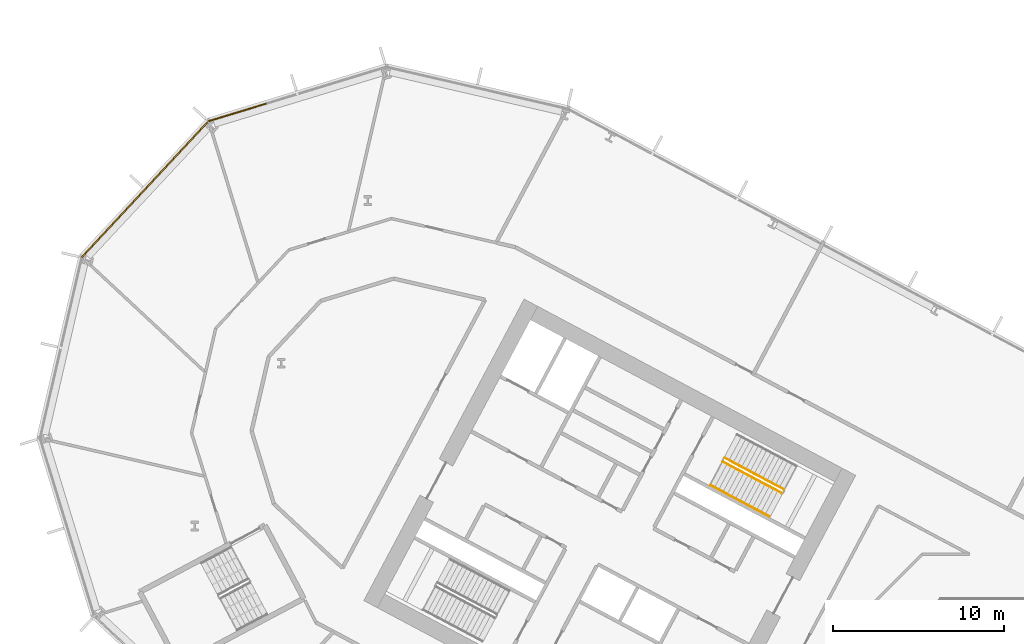
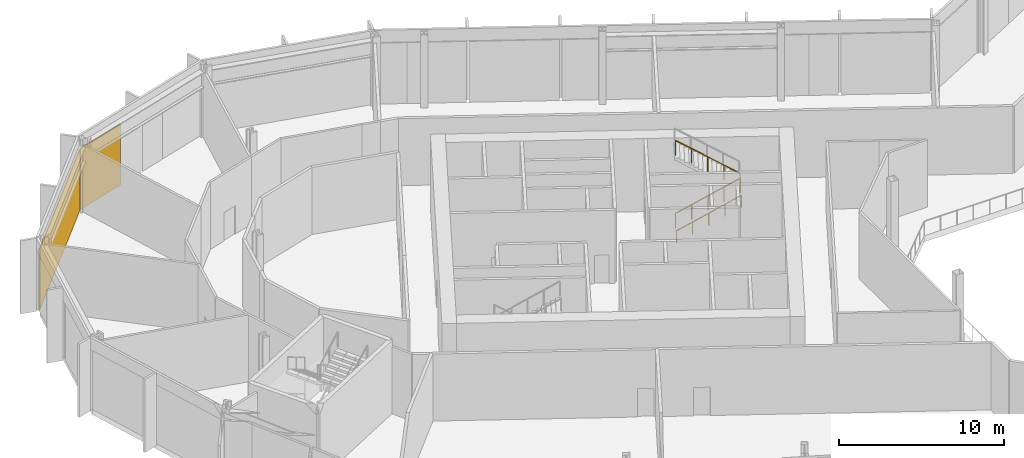
# One storey, part 23 of 31: 3 railings, 2 coverings, 2 elements without a shape of their own.
"""IFC4 building model written with IfcOpenShell, lengths in metres."""

import ifcopenshell
import ifcopenshell.guid

model = None  # the IFC model being written
_history = None  # IfcOwnerHistory: only IFC2X3 demands one
_inside = {}  # id of a spatial element -> (the spatial element, [elements in it])
_under = {}  # id of a project, library or spatial element -> (it, [spatial elements below it])
_declared = {}  # id of a project -> (the project, [libraries it declares])
_typed = {}  # id of a type object -> (the type object, [elements of that type])
_made_of = {}  # id of a material, layer set ... -> (it, [elements and type objects made of it])


def new_model(schema):
    """Start an empty IFC model of exactly this schema.

    Asked for "IFC4X3", IfcOpenShell would pick the latest addendum, in which some entities
    have other attributes; the version numbers below select the first issue.
    IFC2X3 requires an IfcOwnerHistory on every rooted entity: one is made here for all.
    """
    global model, _history
    if schema == "IFC4X3":
        model = ifcopenshell.file(schema_version=(4, 3, 0, 0))
    else:
        model = ifcopenshell.file(schema=schema)
    _inside.clear()
    _under.clear()
    _declared.clear()
    _typed.clear()
    _made_of.clear()
    _history = None
    if model.schema == "IFC2X3":
        org = make("IfcOrganization", Name="unknown")
        user = make(
            "IfcPersonAndOrganization",
            ThePerson=make("IfcPerson", FamilyName="unknown"),
            TheOrganization=org,
        )
        app = make(
            "IfcApplication",
            ApplicationDeveloper=org,
            Version="unknown",
            ApplicationFullName="unknown",
            ApplicationIdentifier="unknown",
        )
        _history = make(
            "IfcOwnerHistory",
            OwningUser=user,
            OwningApplication=app,
            ChangeAction="ADDED",
            CreationDate=0,
        )
    return model


def make(cls, **values):
    """One entity of the class cls with the attributes given. An attribute that is None is left unset."""
    return model.create_entity(
        cls, **{name: value for name, value in values.items() if value is not None}
    )


def rooted(cls, **values):
    """An entity with a GlobalId (a new one), such as an element, a storey or a relation."""
    return make(cls, GlobalId=ifcopenshell.guid.new(), OwnerHistory=_history, **values)


def si_unit(unit_type, name, prefix=None):
    """IfcSIUnit, for example si_unit("LENGTHUNIT", "METRE", prefix="MILLI")."""
    return make("IfcSIUnit", UnitType=unit_type, Prefix=prefix, Name=name)


def assignment(units):
    """IfcUnitAssignment: the units of a project."""
    return None if units is None else make("IfcUnitAssignment", Units=units)


def point(xyz):
    """IfcCartesianPoint."""
    return None if xyz is None else make("IfcCartesianPoint", Coordinates=xyz)


def direction(xyz):
    """IfcDirection."""
    return None if xyz is None else make("IfcDirection", DirectionRatios=xyz)


def frame(location, z_axis=None, x_axis=None):
    """IfcAxis2Placement3D, a coordinate frame: its origin and axes. An axis left out is left unset."""
    return make(
        "IfcAxis2Placement3D",
        Location=point(location),
        Axis=direction(z_axis),
        RefDirection=direction(x_axis),
    )


def frame_2d(location, x_axis=None):
    """IfcAxis2Placement2D, a coordinate frame in the plane: its origin and x axis."""
    return make(
        "IfcAxis2Placement2D", Location=point(location), RefDirection=direction(x_axis)
    )


def origin():
    """The frame at (0, 0, 0) with its axes left unset."""
    return frame((0.0, 0.0, 0.0))


def origin_2d():
    """The frame at (0, 0) in the plane with its x axis left unset."""
    return frame_2d((0.0, 0.0))


def place(relative_to, where):
    """IfcLocalPlacement: puts the frame where relative to a parent placement (None: the world)."""
    return make(
        "IfcLocalPlacement", PlacementRelTo=relative_to, RelativePlacement=where
    )


def context(
    kind, dimensions, precision=None, world=None, true_north=None, identifier=None
):
    """IfcGeometricRepresentationContext, for example the 3D "Model" context."""
    return make(
        "IfcGeometricRepresentationContext",
        ContextIdentifier=identifier,
        ContextType=kind,
        CoordinateSpaceDimension=dimensions,
        Precision=precision,
        WorldCoordinateSystem=world,
        TrueNorth=true_north,
    )


def subcontext(parent, identifier, kind, view, scale=None):
    """IfcGeometricRepresentationSubContext, for example "Body" below "Model"."""
    return make(
        "IfcGeometricRepresentationSubContext",
        ContextIdentifier=identifier,
        ContextType=kind,
        ParentContext=parent,
        TargetScale=scale,
        TargetView=view,
    )


def project(units=None, contexts=None):
    """IfcProject with its units and contexts."""
    return rooted(
        "IfcProject",
        Name="project",
        RepresentationContexts=contexts,
        UnitsInContext=assignment(units),
    )


def spatial(cls, under=None, at=None, **own):
    """A site, building, storey or space (cls), placed at a placement, below another one or the project."""
    s = rooted(cls, ObjectPlacement=at, **own)
    if under is not None:
        _under.setdefault(under.id(), (under, []))[1].append(s)
    return s


def polyline(points):
    """IfcPolyline through the points."""
    return make("IfcPolyline", Points=[point(p) for p in points])


def profile(cls, at=None, kind="AREA", **sizes):
    """A parametric profile (cls). Its sizes go by their IFC names, for example OverallWidth=200.0."""
    return make(cls, ProfileType=kind, Position=at, **sizes)


def rectangle(**sizes):
    """IfcRectangleProfileDef."""
    return profile("IfcRectangleProfileDef", **sizes)


def outline(outer, holes=None, kind="AREA"):
    """IfcArbitraryClosedProfileDef: a profile drawn as a closed curve; with holes, ...WithVoids."""
    if holes is None:
        return make("IfcArbitraryClosedProfileDef", ProfileType=kind, OuterCurve=outer)
    return make(
        "IfcArbitraryProfileDefWithVoids",
        ProfileType=kind,
        OuterCurve=outer,
        InnerCurves=holes,
    )


def extrude(swept, where, along, depth):
    """IfcExtrudedAreaSolid: the profile swept, set in the frame where, extruded along a direction by depth."""
    return make(
        "IfcExtrudedAreaSolid",
        SweptArea=swept,
        Position=where,
        ExtrudedDirection=direction(along),
        Depth=depth,
    )


def shape(context_of_items, identifier, shape_type, items):
    """IfcShapeRepresentation: the items that make up one representation, for example the "Body"."""
    return make(
        "IfcShapeRepresentation",
        ContextOfItems=context_of_items,
        RepresentationIdentifier=identifier,
        RepresentationType=shape_type,
        Items=items,
    )


def material(Name=None, Category=None):
    """IfcMaterial."""
    return make("IfcMaterial", Name=Name, Category=Category)


def layer(
    of_material, thickness, ventilated=None, Name=None, Category=None, Priority=None
):
    """IfcMaterialLayer: one layer of a wall or slab, of a material (None: an air gap)."""
    return make(
        "IfcMaterialLayer",
        Material=of_material,
        LayerThickness=thickness,
        IsVentilated=ventilated,
        Name=Name,
        Category=Category,
        Priority=Priority,
    )


def layer_set(layers, Name=None):
    """IfcMaterialLayerSet."""
    return make("IfcMaterialLayerSet", MaterialLayers=layers, LayerSetName=Name)


def made_of(thing, what):
    """Note that an element or type object is made of a material, layer set ...; save() writes the relation."""
    if what is not None:
        _made_of.setdefault(what.id(), (what, []))[1].append(thing)
    return thing


def type_object(cls, material=None, **own):
    """A type object (cls), such as IfcWallType, which elements share."""
    return made_of(rooted(cls, **own), material)


def element(
    cls,
    number,
    at=None,
    inside=None,
    cuts=None,
    type_object=None,
    material=None,
    context=None,
    identifier="Body",
    shape_type=None,
    held_by="IfcProductDefinitionShape",
    body=None,
    shapes=None,
    **own,
):
    """One element of the class cls, such as IfcWall. Its Tag is "e" and its number.

    at: its placement. inside: the storey or other place that contains it. cuts: it is an
    opening in that element (IfcRelVoidsElement). A single representation is given by context,
    identifier, shape_type and body (its items); several are given by shapes. held_by: the class
    of the entity that holds the representations. save() writes the other relations.
    """
    e = rooted(cls, Tag="e%d" % number, ObjectPlacement=at, **own)
    if body is not None:
        shapes = [shape(context, identifier, shape_type, body)]
    if shapes is not None:
        e.Representation = make(held_by, Representations=shapes)
    if inside is not None:
        _inside.setdefault(inside.id(), (inside, []))[1].append(e)
    if cuts is not None:
        rooted(
            "IfcRelVoidsElement", RelatingBuildingElement=cuts, RelatedOpeningElement=e
        )
    if type_object is not None:
        _typed.setdefault(type_object.id(), (type_object, []))[1].append(e)
    return made_of(e, material)


def aggregate(whole, parts):
    """IfcRelAggregates: a whole, such as a stair, and the parts it consists of."""
    return rooted("IfcRelAggregates", RelatingObject=whole, RelatedObjects=parts)


def save(model, path):
    """Write the relations noted so far, then the file.

    IfcRelAggregates (storeys below a building ...), IfcRelContainedInSpatialStructure (elements
    in a storey), IfcRelDefinesByType, IfcRelAssociatesMaterial and IfcRelDeclares: one each for
    every whole, place, type object, material and project.
    """
    for whole, parts in _under.values():
        aggregate(whole, parts)
    for where, things in _inside.values():
        rooted(
            "IfcRelContainedInSpatialStructure",
            RelatedElements=things,
            RelatingStructure=where,
        )
    for kind, things in _typed.values():
        rooted("IfcRelDefinesByType", RelatedObjects=things, RelatingType=kind)
    for what, things in _made_of.values():
        rooted("IfcRelAssociatesMaterial", RelatedObjects=things, RelatingMaterial=what)
    for by, libraries in _declared.values():
        rooted("IfcRelDeclares", RelatingContext=by, RelatedDefinitions=libraries)
    model.write(path)


model = new_model("IFC4")

# Units and contexts
model_context = context("Model", 3, precision=1e-05, world=origin(), true_north=direction((0.0, 1.0)))
body_context = subcontext(model_context, "Body", "Model", "MODEL_VIEW")
ifc_project = project(units=[si_unit("LENGTHUNIT", "METRE"), si_unit("AREAUNIT", "SQUARE_METRE"), si_unit("VOLUMEUNIT", "CUBIC_METRE"), si_unit("PLANEANGLEUNIT", "RADIAN"), si_unit("MASSUNIT", "GRAM", prefix="KILO")], contexts=[model_context])

# Site, building, storey
site_placement = place(None, origin())
site = spatial("IfcSite", under=ifc_project, at=site_placement, CompositionType="ELEMENT")
building_placement = place(site_placement, origin())
building = spatial("IfcBuilding", under=site, at=building_placement, Name="Cormorant Relay Tower", CompositionType="ELEMENT")
storey_placement = place(building_placement, frame((0.0, 0.0, 50.0)))
storey = spatial("IfcBuildingStorey", under=building, at=storey_placement, Name="L09", CompositionType="ELEMENT", Elevation=50.0)

# Curtain wall, covering
ifc_material_1 = material(Name="Aluminium 6063-T6 anodised bronze", Category="aluminium")
ifc_layer_1 = layer(ifc_material_1, 0.235107421875)
ifc_layer_set_1 = layer_set([ifc_layer_1], Name="CW6 data hall curtain wall with mineral wool panels")
curtain_wall_type = type_object("IfcCurtainWallType", Name="CW6 data hall curtain wall with mineral wool panels", PredefinedType="NOTDEFINED", material=ifc_layer_set_1)
curtain_wall_1_placement = place(storey_placement, origin())
curtain_wall_1 = element("IfcCurtainWall", 1, at=curtain_wall_1_placement, inside=storey, type_object=curtain_wall_type, Name="CW6 curtain wall 9", PredefinedType="NOTDEFINED")
ifc_material_2 = material(Name="Mineral wool cored anodised bronze aluminium cassette panel", Category="aluminium")
ifc_layer_2 = layer(ifc_material_2, 0.074951171875)
ifc_layer_set_2 = layer_set([ifc_layer_2], Name="CW6 mineral wool cassette panel 75")
covering_type = type_object("IfcCoveringType", Name="CW6 mineral wool cassette panel 75", PredefinedType="CLADDING", material=ifc_layer_set_2)
covering_1_placement = place(storey_placement, frame((-49.169677734375, 39.491455078125, 0.0), z_axis=(0.0, 0.0, 1.0), x_axis=(-0.956304755963, -0.292371704723, 0.0)))
covering_1 = element("IfcCovering", 2, at=covering_1_placement, type_object=covering_type, Name="CW6 panel S03", PredefinedType="CLADDING", context=body_context, shape_type="SweptSolid", body=[
    extrude(rectangle(XDim=3.560302734375, YDim=0.074951171875, at=origin_2d()), origin(), (0.0, 0.0, 1.0), 4.5),
])
aggregate(curtain_wall_1, [covering_1])

curtain_wall_2_placement = place(storey_placement, origin())
curtain_wall_2 = element("IfcCurtainWall", 3, at=curtain_wall_2_placement, inside=storey, type_object=curtain_wall_type, Name="CW6 curtain wall 10", PredefinedType="NOTDEFINED")
covering_2_placement = place(storey_placement, frame((-54.62060546875, 34.958251953125, 0.0), z_axis=(0.0, 0.0, 1.0), x_axis=(-0.681998360062, -0.731353701619, 0.0)))
covering_2 = element("IfcCovering", 4, at=covering_2_placement, type_object=covering_type, Name="CW6 panel S00", PredefinedType="CLADDING", context=body_context, shape_type="SweptSolid", body=[
    extrude(rectangle(XDim=10.79541015625, YDim=0.074951171875, at=origin_2d()), origin(), (0.0, 0.0, 1.0), 4.5),
])
aggregate(curtain_wall_2, [covering_2])

# Railings
ifc_material_3 = material(Name="Steel ASTM A572 Grade 50 (Fy 345 MPa)", Category="steel")
railing_type_1 = type_object("IfcRailingType", Name="Stair guard 1100", PredefinedType="GUARDRAIL", material=ifc_material_3)
railing_1_placement = place(storey_placement, frame((-20.75048828125, 19.017822265625, 0.179931640625)))
element("IfcRailing", 5, at=railing_1_placement, inside=storey, type_object=railing_type_1, Name="L09 A1 stair guard 1", PredefinedType="GUARDRAIL", context=body_context, shape_type="SweptSolid", body=[
    extrude(outline(polyline([(0.022216796875, 0.00927734375), (0.00927734375, 0.022216796875), (-0.00927734375, 0.022216796875), (-0.022216796875, 0.00927734375), (-0.022216796875, -0.00927734375), (-0.00927734375, -0.022216796875), (0.00927734375, -0.022216796875), (0.022216796875, -0.00927734375), (0.022216796875, 0.00927734375)])), frame((0.0, 0.0, 1.076171875), z_axis=(0.74271721126, -0.394907409077, 0.540758062681), x_axis=(0.469469396681, 0.882948744594, 0.0)), (0.0, 0.0, 1.0), 4.66015625),
    extrude(outline(polyline([(0.019287109375, 0.008056640625), (0.008056640625, 0.019287109375), (-0.008056640625, 0.019287109375), (-0.019287109375, 0.008056640625), (-0.019287109375, -0.008056640625), (-0.008056640625, -0.019287109375), (0.008056640625, -0.019287109375), (0.019287109375, -0.008056640625), (0.019287109375, 0.008056640625)])), origin(), (0.0, 0.0, 1.0), 1.052001953125),
    extrude(outline(polyline([(0.019287109375, 0.008056640625), (0.008056640625, 0.019287109375), (-0.008056640625, 0.019287109375), (-0.019287109375, 0.008056640625), (-0.019287109375, -0.008056640625), (-0.008056640625, -0.019287109375), (0.008056640625, -0.019287109375), (0.019287109375, -0.008056640625), (0.019287109375, 0.008056640625)])), frame((0.865234375, -0.4599609375, 0.6298828125)), (0.0, 0.0, 1.0), 1.052001953125),
    extrude(outline(polyline([(0.019287109375, 0.008056640625), (0.008056640625, 0.019287109375), (-0.008056640625, 0.019287109375), (-0.019287109375, 0.008056640625), (-0.019287109375, -0.008056640625), (-0.008056640625, -0.019287109375), (0.008056640625, -0.019287109375), (0.019287109375, -0.008056640625), (0.019287109375, 0.008056640625)])), frame((1.73046875, -0.920166015625, 1.260009765625)), (0.0, 0.0, 1.0), 1.052001953125),
    extrude(outline(polyline([(0.019287109375, 0.008056640625), (0.008056640625, 0.019287109375), (-0.008056640625, 0.019287109375), (-0.019287109375, 0.008056640625), (-0.019287109375, -0.008056640625), (-0.008056640625, -0.019287109375), (0.008056640625, -0.019287109375), (0.019287109375, -0.008056640625), (0.019287109375, 0.008056640625)])), frame((2.595947265625, -1.38037109375, 1.89013671875)), (0.0, 0.0, 1.0), 1.052001953125),
    extrude(outline(polyline([(0.019287109375, 0.008056640625), (0.008056640625, 0.019287109375), (-0.008056640625, 0.019287109375), (-0.019287109375, 0.008056640625), (-0.019287109375, -0.008056640625), (-0.008056640625, -0.019287109375), (0.008056640625, -0.019287109375), (0.019287109375, -0.008056640625), (0.019287109375, 0.008056640625)])), frame((3.461181640625, -1.84033203125, 2.52001953125)), (0.0, 0.0, 1.0), 1.052001953125),
])
railing_2_placement = place(storey_placement, frame((-17.172119140625, 17.398193359375, 2.8798828125)))
element("IfcRailing", 6, at=railing_2_placement, inside=storey, type_object=railing_type_1, Name="L09 A1 stair guard 3", PredefinedType="GUARDRAIL", context=body_context, shape_type="SweptSolid", body=[
    extrude(outline(polyline([(0.022216796875, 0.00927734375), (0.00927734375, 0.022216796875), (-0.00927734375, 0.022216796875), (-0.022216796875, 0.00927734375), (-0.022216796875, -0.00927734375), (-0.00927734375, -0.022216796875), (0.00927734375, -0.022216796875), (0.022216796875, -0.00927734375), (0.022216796875, 0.00927734375)])), frame((0.0, 0.0, 1.076171875), z_axis=(-0.74271721126, 0.394907409077, 0.540758062681), x_axis=(-0.469469396681, -0.882948744594, 0.0)), (0.0, 0.0, 1.0), 4.66015625),
    extrude(outline(polyline([(0.019287109375, 0.008056640625), (0.008056640625, 0.019287109375), (-0.008056640625, 0.019287109375), (-0.019287109375, 0.008056640625), (-0.019287109375, -0.008056640625), (-0.008056640625, -0.019287109375), (0.008056640625, -0.019287109375), (0.019287109375, -0.008056640625), (0.019287109375, 0.008056640625)])), origin(), (0.0, 0.0, 1.0), 1.052001953125),
    extrude(outline(polyline([(0.019287109375, 0.008056640625), (0.008056640625, 0.019287109375), (-0.008056640625, 0.019287109375), (-0.019287109375, 0.008056640625), (-0.019287109375, -0.008056640625), (-0.008056640625, -0.019287109375), (0.008056640625, -0.019287109375), (0.019287109375, -0.008056640625), (0.019287109375, 0.008056640625)])), frame((-0.865234375, 0.4599609375, 0.6298828125)), (0.0, 0.0, 1.0), 1.052001953125),
    extrude(outline(polyline([(0.019287109375, 0.008056640625), (0.008056640625, 0.019287109375), (-0.008056640625, 0.019287109375), (-0.019287109375, 0.008056640625), (-0.019287109375, -0.008056640625), (-0.008056640625, -0.019287109375), (0.008056640625, -0.019287109375), (0.019287109375, -0.008056640625), (0.019287109375, 0.008056640625)])), frame((-1.73046875, 0.920166015625, 1.260009765625)), (0.0, 0.0, 1.0), 1.052001953125),
    extrude(outline(polyline([(0.019287109375, 0.008056640625), (0.008056640625, 0.019287109375), (-0.008056640625, 0.019287109375), (-0.019287109375, 0.008056640625), (-0.019287109375, -0.008056640625), (-0.008056640625, -0.019287109375), (0.008056640625, -0.019287109375), (0.019287109375, -0.008056640625), (0.019287109375, 0.008056640625)])), frame((-2.595947265625, 1.38037109375, 1.89013671875)), (0.0, 0.0, 1.0), 1.052001953125),
    extrude(outline(polyline([(0.019287109375, 0.008056640625), (0.008056640625, 0.019287109375), (-0.008056640625, 0.019287109375), (-0.019287109375, 0.008056640625), (-0.019287109375, -0.008056640625), (-0.008056640625, -0.019287109375), (0.008056640625, -0.019287109375), (0.019287109375, -0.008056640625), (0.019287109375, 0.008056640625)])), frame((-3.461181640625, 1.84033203125, 2.52001953125)), (0.0, 0.0, 1.0), 1.052001953125),
])
ifc_material_4 = material(Name="Steel ASTM A572 Grade 50 (Fy 345 MPa)", Category="steel")
railing_type_2 = type_object("IfcRailingType", Name="Stair handrail 900", PredefinedType="HANDRAIL", material=ifc_material_4)
railing_3_placement = place(storey_placement, frame((-21.478271484375, 17.6494140625, 0.179931640625)))
element("IfcRailing", 7, at=railing_3_placement, inside=storey, type_object=railing_type_2, Name="L09 A1 stair handrail 1", PredefinedType="HANDRAIL", context=body_context, shape_type="SweptSolid", body=[
    extrude(outline(polyline([(0.022216796875, 0.00927734375), (0.00927734375, 0.022216796875), (-0.00927734375, 0.022216796875), (-0.022216796875, 0.00927734375), (-0.022216796875, -0.00927734375), (-0.00927734375, -0.022216796875), (0.00927734375, -0.022216796875), (0.022216796875, -0.00927734375), (0.022216796875, 0.00927734375)])), frame((0.0, 0.0, 0.8759765625), z_axis=(0.74271721126, -0.394907409077, 0.540758062681), x_axis=(0.469469396681, 0.882948744594, 0.0)), (0.0, 0.0, 1.0), 4.66015625),
    extrude(outline(polyline([(0.019287109375, 0.008056640625), (0.008056640625, 0.019287109375), (-0.008056640625, 0.019287109375), (-0.019287109375, 0.008056640625), (-0.019287109375, -0.008056640625), (-0.008056640625, -0.019287109375), (0.008056640625, -0.019287109375), (0.019287109375, -0.008056640625), (0.019287109375, 0.008056640625)])), origin(), (0.0, 0.0, 1.0), 0.851806640625),
    extrude(outline(polyline([(0.019287109375, 0.008056640625), (0.008056640625, 0.019287109375), (-0.008056640625, 0.019287109375), (-0.019287109375, 0.008056640625), (-0.019287109375, -0.008056640625), (-0.008056640625, -0.019287109375), (0.008056640625, -0.019287109375), (0.019287109375, -0.008056640625), (0.019287109375, 0.008056640625)])), frame((0.865234375, -0.4599609375, 0.6298828125)), (0.0, 0.0, 1.0), 0.851806640625),
    extrude(outline(polyline([(0.019287109375, 0.008056640625), (0.008056640625, 0.019287109375), (-0.008056640625, 0.019287109375), (-0.019287109375, 0.008056640625), (-0.019287109375, -0.008056640625), (-0.008056640625, -0.019287109375), (0.008056640625, -0.019287109375), (0.019287109375, -0.008056640625), (0.019287109375, 0.008056640625)])), frame((1.73046875, -0.920166015625, 1.260009765625)), (0.0, 0.0, 1.0), 0.851806640625),
    extrude(outline(polyline([(0.019287109375, 0.008056640625), (0.008056640625, 0.019287109375), (-0.008056640625, 0.019287109375), (-0.019287109375, 0.008056640625), (-0.019287109375, -0.008056640625), (-0.008056640625, -0.019287109375), (0.008056640625, -0.019287109375), (0.019287109375, -0.008056640625), (0.019287109375, 0.008056640625)])), frame((2.595947265625, -1.38037109375, 1.89013671875)), (0.0, 0.0, 1.0), 0.851806640625),
    extrude(outline(polyline([(0.019287109375, 0.008056640625), (0.008056640625, 0.019287109375), (-0.008056640625, 0.019287109375), (-0.019287109375, 0.008056640625), (-0.019287109375, -0.008056640625), (-0.008056640625, -0.019287109375), (0.008056640625, -0.019287109375), (0.019287109375, -0.008056640625), (0.019287109375, 0.008056640625)])), frame((3.461181640625, -1.84033203125, 2.52001953125)), (0.0, 0.0, 1.0), 0.851806640625),
])

save(model, "model.ifc")
